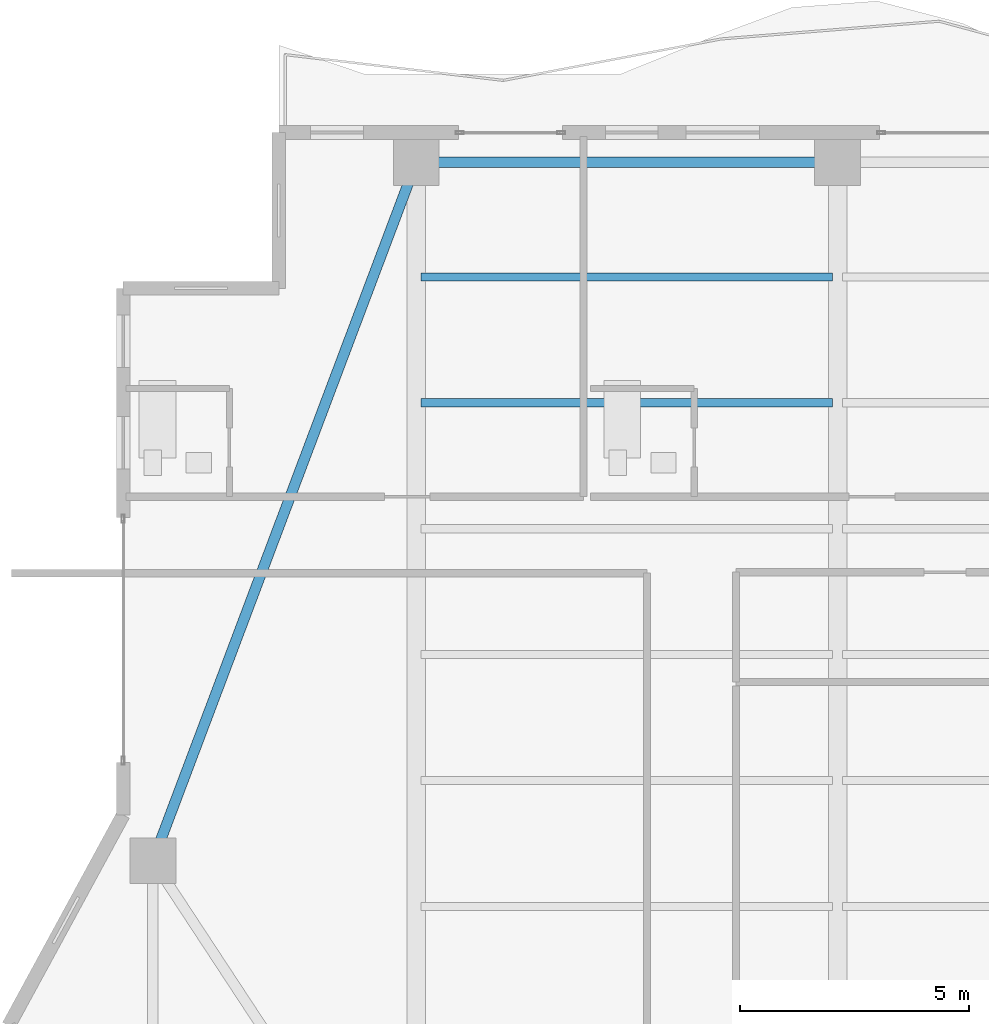
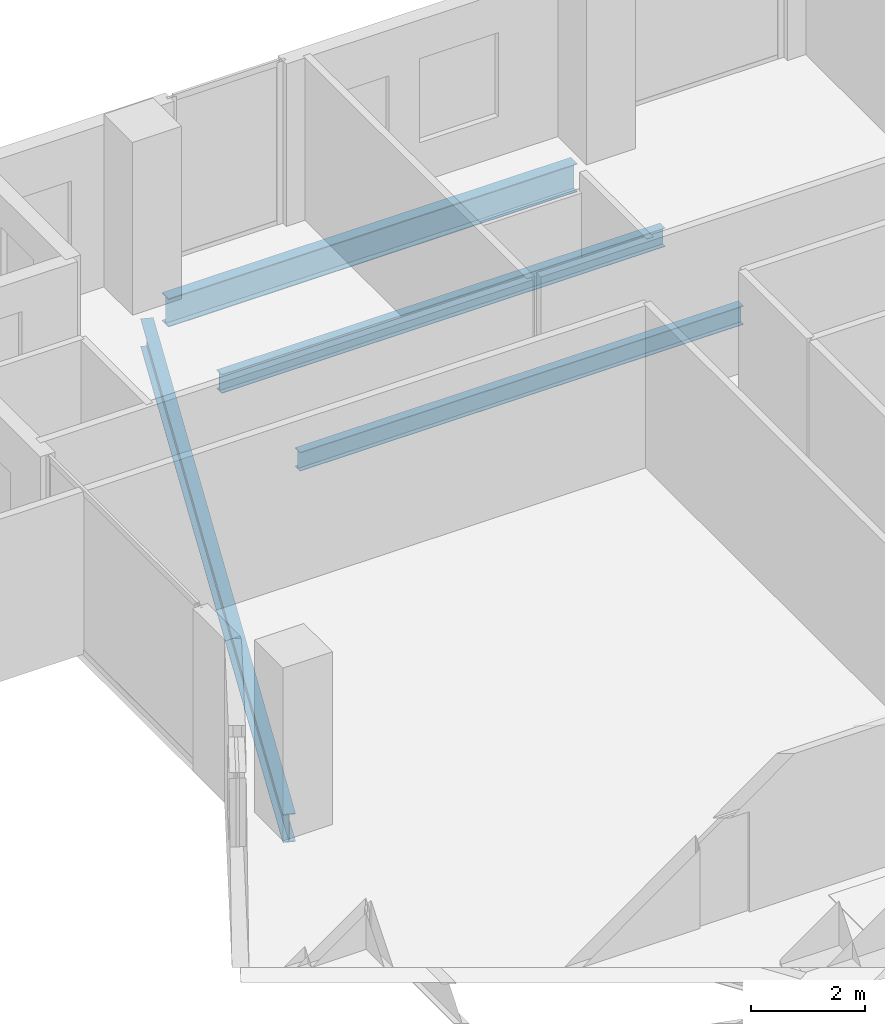
# One storey, part 12 of 26: 4 beams.
"""IFC4 building model written with IfcOpenShell, lengths in metres."""

import ifcopenshell
import ifcopenshell.guid

model = None  # the IFC model being written
_history = None  # IfcOwnerHistory: only IFC2X3 demands one
_inside = {}  # id of a spatial element -> (the spatial element, [elements in it])
_under = {}  # id of a project, library or spatial element -> (it, [spatial elements below it])
_declared = {}  # id of a project -> (the project, [libraries it declares])
_typed = {}  # id of a type object -> (the type object, [elements of that type])
_made_of = {}  # id of a material, layer set ... -> (it, [elements and type objects made of it])


def new_model(schema):
    """Start an empty IFC model of exactly this schema.

    Asked for "IFC4X3", IfcOpenShell would pick the latest addendum, in which some entities
    have other attributes; the version numbers below select the first issue.
    IFC2X3 requires an IfcOwnerHistory on every rooted entity: one is made here for all.
    """
    global model, _history
    if schema == "IFC4X3":
        model = ifcopenshell.file(schema_version=(4, 3, 0, 0))
    else:
        model = ifcopenshell.file(schema=schema)
    _inside.clear()
    _under.clear()
    _declared.clear()
    _typed.clear()
    _made_of.clear()
    _history = None
    if model.schema == "IFC2X3":
        org = make("IfcOrganization", Name="unknown")
        user = make(
            "IfcPersonAndOrganization",
            ThePerson=make("IfcPerson", FamilyName="unknown"),
            TheOrganization=org,
        )
        app = make(
            "IfcApplication",
            ApplicationDeveloper=org,
            Version="unknown",
            ApplicationFullName="unknown",
            ApplicationIdentifier="unknown",
        )
        _history = make(
            "IfcOwnerHistory",
            OwningUser=user,
            OwningApplication=app,
            ChangeAction="ADDED",
            CreationDate=0,
        )
    return model


def make(cls, **values):
    """One entity of the class cls with the attributes given. An attribute that is None is left unset."""
    return model.create_entity(
        cls, **{name: value for name, value in values.items() if value is not None}
    )


def rooted(cls, **values):
    """An entity with a GlobalId (a new one), such as an element, a storey or a relation."""
    return make(cls, GlobalId=ifcopenshell.guid.new(), OwnerHistory=_history, **values)


def si_unit(unit_type, name, prefix=None):
    """IfcSIUnit, for example si_unit("LENGTHUNIT", "METRE", prefix="MILLI")."""
    return make("IfcSIUnit", UnitType=unit_type, Prefix=prefix, Name=name)


def assignment(units):
    """IfcUnitAssignment: the units of a project."""
    return None if units is None else make("IfcUnitAssignment", Units=units)


def point(xyz):
    """IfcCartesianPoint."""
    return None if xyz is None else make("IfcCartesianPoint", Coordinates=xyz)


def direction(xyz):
    """IfcDirection."""
    return None if xyz is None else make("IfcDirection", DirectionRatios=xyz)


def frame(location, z_axis=None, x_axis=None):
    """IfcAxis2Placement3D, a coordinate frame: its origin and axes. An axis left out is left unset."""
    return make(
        "IfcAxis2Placement3D",
        Location=point(location),
        Axis=direction(z_axis),
        RefDirection=direction(x_axis),
    )


def frame_2d(location, x_axis=None):
    """IfcAxis2Placement2D, a coordinate frame in the plane: its origin and x axis."""
    return make(
        "IfcAxis2Placement2D", Location=point(location), RefDirection=direction(x_axis)
    )


def origin():
    """The frame at (0, 0, 0) with its axes left unset."""
    return frame((0.0, 0.0, 0.0))


def origin_2d():
    """The frame at (0, 0) in the plane with its x axis left unset."""
    return frame_2d((0.0, 0.0))


def place(relative_to, where):
    """IfcLocalPlacement: puts the frame where relative to a parent placement (None: the world)."""
    return make(
        "IfcLocalPlacement", PlacementRelTo=relative_to, RelativePlacement=where
    )


def context(
    kind, dimensions, precision=None, world=None, true_north=None, identifier=None
):
    """IfcGeometricRepresentationContext, for example the 3D "Model" context."""
    return make(
        "IfcGeometricRepresentationContext",
        ContextIdentifier=identifier,
        ContextType=kind,
        CoordinateSpaceDimension=dimensions,
        Precision=precision,
        WorldCoordinateSystem=world,
        TrueNorth=true_north,
    )


def subcontext(parent, identifier, kind, view, scale=None):
    """IfcGeometricRepresentationSubContext, for example "Body" below "Model"."""
    return make(
        "IfcGeometricRepresentationSubContext",
        ContextIdentifier=identifier,
        ContextType=kind,
        ParentContext=parent,
        TargetScale=scale,
        TargetView=view,
    )


def project(units=None, contexts=None):
    """IfcProject with its units and contexts."""
    return rooted(
        "IfcProject",
        Name="project",
        RepresentationContexts=contexts,
        UnitsInContext=assignment(units),
    )


def spatial(cls, under=None, at=None, **own):
    """A site, building, storey or space (cls), placed at a placement, below another one or the project."""
    s = rooted(cls, ObjectPlacement=at, **own)
    if under is not None:
        _under.setdefault(under.id(), (under, []))[1].append(s)
    return s


def profile(cls, at=None, kind="AREA", **sizes):
    """A parametric profile (cls). Its sizes go by their IFC names, for example OverallWidth=200.0."""
    return make(cls, ProfileType=kind, Position=at, **sizes)


def i_section(**sizes):
    """IfcIShapeProfileDef."""
    return profile("IfcIShapeProfileDef", **sizes)


def extrude(swept, where, along, depth):
    """IfcExtrudedAreaSolid: the profile swept, set in the frame where, extruded along a direction by depth."""
    return make(
        "IfcExtrudedAreaSolid",
        SweptArea=swept,
        Position=where,
        ExtrudedDirection=direction(along),
        Depth=depth,
    )


def shape(context_of_items, identifier, shape_type, items):
    """IfcShapeRepresentation: the items that make up one representation, for example the "Body"."""
    return make(
        "IfcShapeRepresentation",
        ContextOfItems=context_of_items,
        RepresentationIdentifier=identifier,
        RepresentationType=shape_type,
        Items=items,
    )


def material(Name=None, Category=None):
    """IfcMaterial."""
    return make("IfcMaterial", Name=Name, Category=Category)


def material_profile(
    of_material, cross_section, Name=None, Category=None, Priority=None
):
    """IfcMaterialProfile: a cross section and its material."""
    return make(
        "IfcMaterialProfile",
        Name=Name,
        Material=of_material,
        Profile=cross_section,
        Priority=Priority,
        Category=Category,
    )


def profile_set(profiles, Name=None, composite=None):
    """IfcMaterialProfileSet."""
    return make(
        "IfcMaterialProfileSet",
        Name=Name,
        MaterialProfiles=profiles,
        CompositeProfile=composite,
    )


def made_of(thing, what):
    """Note that an element or type object is made of a material, layer set ...; save() writes the relation."""
    if what is not None:
        _made_of.setdefault(what.id(), (what, []))[1].append(thing)
    return thing


def type_object(cls, material=None, **own):
    """A type object (cls), such as IfcWallType, which elements share."""
    return made_of(rooted(cls, **own), material)


def element(
    cls,
    number,
    at=None,
    inside=None,
    cuts=None,
    type_object=None,
    material=None,
    context=None,
    identifier="Body",
    shape_type=None,
    held_by="IfcProductDefinitionShape",
    body=None,
    shapes=None,
    **own,
):
    """One element of the class cls, such as IfcWall. Its Tag is "e" and its number.

    at: its placement. inside: the storey or other place that contains it. cuts: it is an
    opening in that element (IfcRelVoidsElement). A single representation is given by context,
    identifier, shape_type and body (its items); several are given by shapes. held_by: the class
    of the entity that holds the representations. save() writes the other relations.
    """
    e = rooted(cls, Tag="e%d" % number, ObjectPlacement=at, **own)
    if body is not None:
        shapes = [shape(context, identifier, shape_type, body)]
    if shapes is not None:
        e.Representation = make(held_by, Representations=shapes)
    if inside is not None:
        _inside.setdefault(inside.id(), (inside, []))[1].append(e)
    if cuts is not None:
        rooted(
            "IfcRelVoidsElement", RelatingBuildingElement=cuts, RelatedOpeningElement=e
        )
    if type_object is not None:
        _typed.setdefault(type_object.id(), (type_object, []))[1].append(e)
    return made_of(e, material)


def aggregate(whole, parts):
    """IfcRelAggregates: a whole, such as a stair, and the parts it consists of."""
    return rooted("IfcRelAggregates", RelatingObject=whole, RelatedObjects=parts)


def save(model, path):
    """Write the relations noted so far, then the file.

    IfcRelAggregates (storeys below a building ...), IfcRelContainedInSpatialStructure (elements
    in a storey), IfcRelDefinesByType, IfcRelAssociatesMaterial and IfcRelDeclares: one each for
    every whole, place, type object, material and project.
    """
    for whole, parts in _under.values():
        aggregate(whole, parts)
    for where, things in _inside.values():
        rooted(
            "IfcRelContainedInSpatialStructure",
            RelatedElements=things,
            RelatingStructure=where,
        )
    for kind, things in _typed.values():
        rooted("IfcRelDefinesByType", RelatedObjects=things, RelatingType=kind)
    for what, things in _made_of.values():
        rooted("IfcRelAssociatesMaterial", RelatedObjects=things, RelatingMaterial=what)
    for by, libraries in _declared.values():
        rooted("IfcRelDeclares", RelatingContext=by, RelatedDefinitions=libraries)
    model.write(path)


model = new_model("IFC4")

# Units and contexts
model_context = context("Model", 3, precision=1e-05, world=origin(), true_north=direction((0.0, 1.0)))
body_context = subcontext(model_context, "Body", "Model", "MODEL_VIEW")
ifc_project = project(units=[si_unit("LENGTHUNIT", "METRE"), si_unit("AREAUNIT", "SQUARE_METRE"), si_unit("VOLUMEUNIT", "CUBIC_METRE"), si_unit("PLANEANGLEUNIT", "RADIAN"), si_unit("MASSUNIT", "GRAM", prefix="KILO")], contexts=[model_context])

# Site, building, storey
site_placement = place(None, origin())
site = spatial("IfcSite", under=ifc_project, at=site_placement, CompositionType="ELEMENT")
building_placement = place(site_placement, origin())
building = spatial("IfcBuilding", under=site, at=building_placement, Name="Zuhayl Quay Hotel", CompositionType="ELEMENT")
storey_placement = place(building_placement, frame((0.0, 0.0, 254.449951171875)))
storey = spatial("IfcBuildingStorey", under=building, at=storey_placement, Name="L64", CompositionType="ELEMENT", Elevation=254.449951171875)

# Beams
ifc_material = material(Name="Steel ASTM A992 Grade 50", Category="steel")
ifc_material_profile_1 = material_profile(ifc_material, i_section(OverallWidth=0.22802734375, OverallDepth=0.60693359375, WebThickness=0.01123046875, FlangeThickness=0.017333984375, at=origin_2d()), Name="W24X76")
ifc_profile_set_1 = profile_set([ifc_material_profile_1], Name="Steel ASTM A992 Grade 50")
beam_type_1 = type_object("IfcBeamType", Name="BM_B3_W24X76", PredefinedType="BEAM", material=ifc_profile_set_1)
beam_1_placement = place(storey_placement, frame((-5.06005859375, 38.35009765625, -0.5234375), z_axis=(-1.0, 0.0, 0.0), x_axis=(0.0, -1.0, 0.0)))
element("IfcBeam", 1, at=beam_1_placement, inside=storey, type_object=beam_type_1, Name="L64 Floor Beam RG_L64_09", PredefinedType="BEAM", context=body_context, shape_type="SweptSolid", body=[
    extrude(i_section(OverallWidth=0.22802734375, OverallDepth=0.60693359375, WebThickness=0.01123046875, FlangeThickness=0.017333984375, at=origin_2d()), origin(), (0.0, 0.0, 1.0), 8.280029296875),
])
beam_2_placement = place(storey_placement, frame((-13.96240234375, 37.919677734375, -0.5234375), z_axis=(-0.352796603103, -0.935700035716, 0.0), x_axis=(0.935700035716, -0.352796603103, 0.0)))
element("IfcBeam", 2, at=beam_2_placement, inside=storey, type_object=beam_type_1, Name="L64 Floor Beam RG_L64_10", PredefinedType="BEAM", context=body_context, shape_type="SweptSolid", body=[
    extrude(i_section(OverallWidth=0.22802734375, OverallDepth=0.60693359375, WebThickness=0.01123046875, FlangeThickness=0.017333984375, at=origin_2d()), origin(), (0.0, 0.0, 1.0), 15.3779296875),
])
ifc_material_profile_2 = material_profile(ifc_material, i_section(OverallWidth=0.177978515625, OverallDepth=0.404052734375, WebThickness=0.007568359375, FlangeThickness=0.010986328125, at=origin_2d()), Name="W16X36")
ifc_profile_set_2 = profile_set([ifc_material_profile_2], Name="Steel ASTM A992 Grade 50")
beam_type_2 = type_object("IfcBeamType", Name="BM_J3_W16X36", PredefinedType="JOIST", material=ifc_profile_set_2)
for number, where, z_axis, x_axis, name in (
    (3, (-13.694091796875, 33.10009765625, -0.421875), (1.0, 0.0, 0.0), (0.0, 1.0, 0.0), "L64 Floor Beam FJ_L64_7_1"),
    (4, (-13.694091796875, 35.85009765625, -0.421875), (1.0, 0.0, 0.0), (0.0, 1.0, 0.0), "L64 Floor Beam FJ_L64_8_1"),
):
    element("IfcBeam", number, at=place(storey_placement, frame(where, z_axis=z_axis, x_axis=x_axis)), inside=storey, type_object=beam_type_2, Name=name, PredefinedType="JOIST", context=body_context, shape_type="SweptSolid", body=[
        extrude(i_section(OverallWidth=0.177978515625, OverallDepth=0.404052734375, WebThickness=0.007568359375, FlangeThickness=0.010986328125, at=origin_2d()), origin(), (0.0, 0.0, 1.0), 8.988037109375),
    ])

save(model, "model.ifc")
